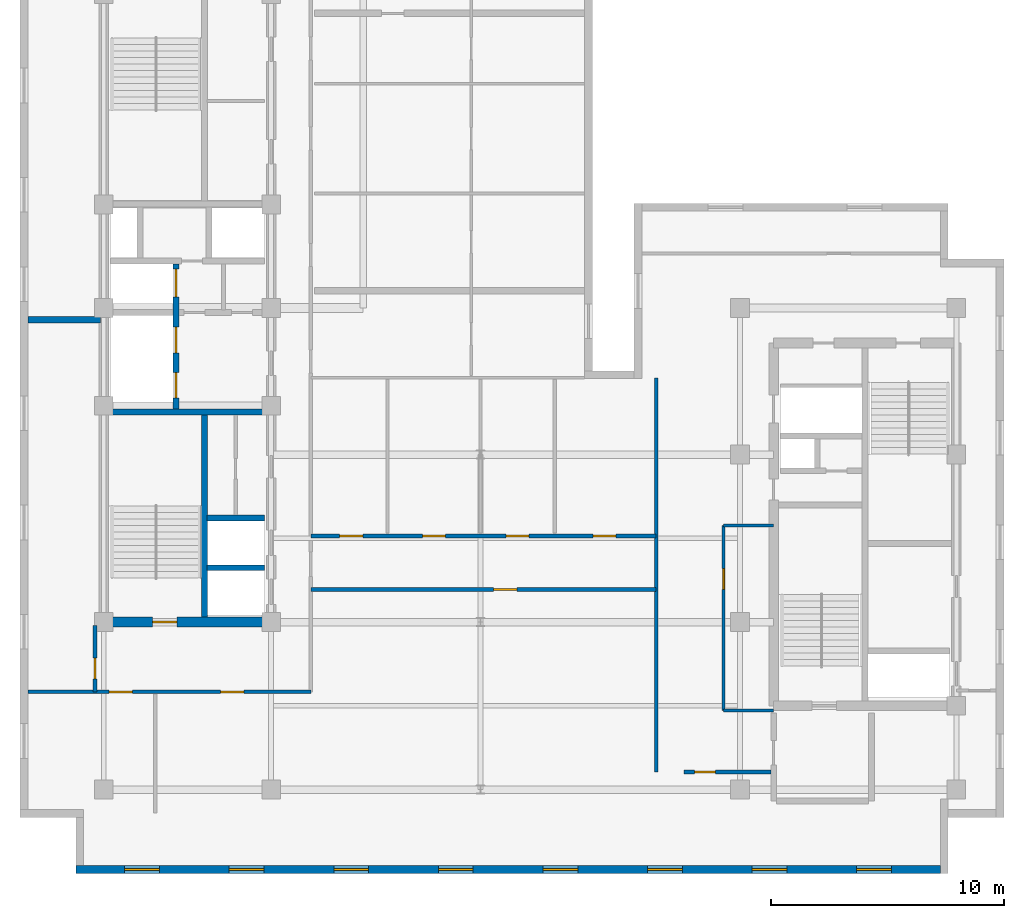
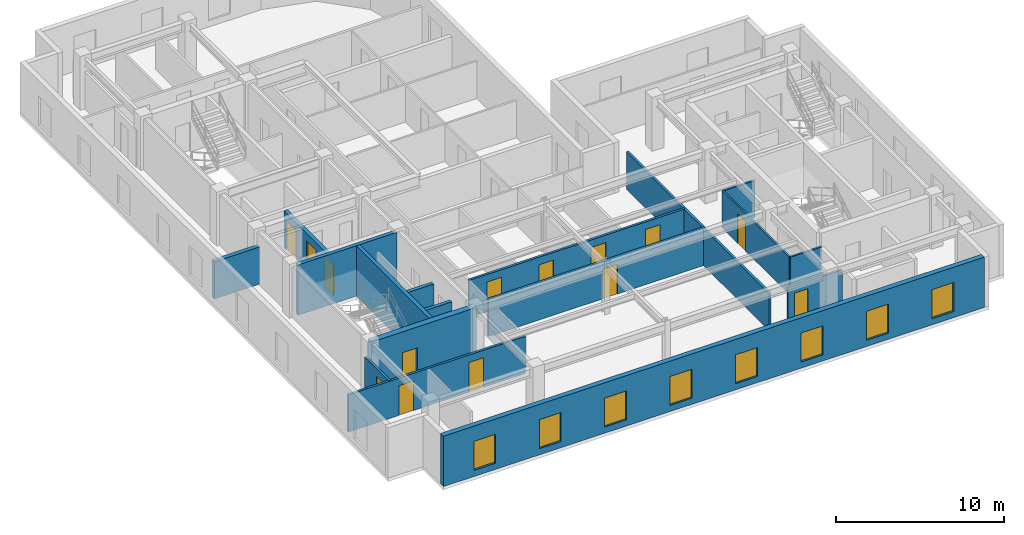
# One storey, part 3 of 10: 17 walls, 14 doors, 8 windows, 22 openings.
"""IFC4 building model written with IfcOpenShell, lengths in metres."""

from ifc_helpers import new_model, entity, si_unit, converted_unit, direction, frame, origin_with_axes, origin_2d_with_axis, place, context, subcontext, project, spatial, polyline, rectangle, outline, extrude, material, layer, layer_set, type_object, element, fill, save


model = new_model("IFC4")

# Units and contexts
model_context = context("Model", 3, precision=1e-05, world=origin_with_axes(), true_north=direction((0.0, 1.0)))
body_context = subcontext(model_context, "Body", "Model", "MODEL_VIEW")
ifc_project = project(units=[si_unit("LENGTHUNIT", "METRE"), si_unit("AREAUNIT", "SQUARE_METRE"), si_unit("VOLUMEUNIT", "CUBIC_METRE"), converted_unit("PLANEANGLEUNIT", "DEGREE", entity("IfcPlaneAngleMeasure", 0.017453292519943295), si_unit("PLANEANGLEUNIT", "RADIAN"), dimensions=[0, 0, 0, 0, 0, 0, 0]), si_unit("MASSUNIT", "GRAM", prefix="KILO"), si_unit("THERMODYNAMICTEMPERATUREUNIT", "KELVIN")], contexts=[model_context])

# Site, building, storey
site_placement = place(None, origin_with_axes())
site = spatial("IfcSite", under=ifc_project, at=site_placement, CompositionType="ELEMENT")
building_placement = place(site_placement, origin_with_axes())
building = spatial("IfcBuilding", under=site, at=building_placement, Name="Varnlund Millrace Tower", CompositionType="ELEMENT")
storey_placement = place(building_placement, frame((0.0, 0.0, 272.4), z_axis=(0.0, 0.0, 1.0), x_axis=(1.0, 0.0, 0.0)))
storey = spatial("IfcBuildingStorey", under=building, at=storey_placement, Name="L67", CompositionType="ELEMENT", Elevation=272.4)

# Wall, opening, door
ifc_material_1 = material(Name="Concrete C60/75", Category="concrete")
ifc_layer_1 = layer(ifc_material_1, 0.42, Name="Concrete C60/75")
ifc_layer_set_1 = layer_set([ifc_layer_1], Name="Concrete C60/75")
wall_type_1 = type_object("IfcWallType", Name="Type-CoreWall-Shear-420-C60", PredefinedType="SHEAR", material=ifc_layer_set_1)
wall_1_placement = place(storey_placement, frame((11.4, 10.8, 0.0), z_axis=(0.0, 0.0, 1.0), x_axis=(1.0, 0.0, 0.0)))
wall_1 = element("IfcWall", 1, at=wall_1_placement, inside=storey, type_object=wall_type_1, Name="Type-CoreWall-Shear-420-C60", PredefinedType="SHEAR", context=body_context, shape_type="SweptSolid", body=[
    extrude(outline(polyline([(0.0, -0.21), (7.2, -0.21), (7.2, 0.21), (0.0, 0.21), (0.0, -0.21)])), origin_with_axes(), (0.0, 0.0, 1.0), 3.66),
])
opening_1_placement = place(wall_1_placement, frame((2.625, 0.0, 0.0), z_axis=(0.0, 0.0, 1.0), x_axis=(1.0, 0.0, 0.0)))
opening_1 = element("IfcOpeningElement", 2, at=opening_1_placement, cuts=wall_1, Name="Opening L67:DR-STA1", PredefinedType="OPENING", context=body_context, shape_type="SweptSolid", body=[
    extrude(rectangle(XDim=1.05, YDim=0.44, at=origin_2d_with_axis()), origin_with_axes(), (0.0, 0.0, 1.0), 2.15),
])
ifc_material_2 = material(Name="Fire-rated hollow steel door", Category="steel")
door_type_1 = type_object("IfcDoorType", Name="Type-FireDoor-Stair-1050X2150", OperationType="NOTDEFINED", PredefinedType="DOOR", material=ifc_material_2)
door_1_placement = place(wall_1_placement, frame((2.625, 0.0, 0.0), z_axis=(0.0, 0.0, 1.0), x_axis=(1.0, 0.0, 0.0)))
door_1 = element("IfcDoor", 3, at=door_1_placement, inside=storey, type_object=door_type_1, Name="Type-FireDoor-Stair-1050X2150", OperationType="SINGLE_SWING_LEFT", OverallHeight=2.15, OverallWidth=1.05, PredefinedType="DOOR", context=body_context, shape_type="SweptSolid", body=[
    extrude(rectangle(XDim=1.05, YDim=0.09, at=origin_2d_with_axis()), origin_with_axes(), (0.0, 0.0, 1.0), 2.15),
])
fill(opening_1, door_1)

# Wall, openings, windows
ifc_material_3 = material(Name="Precast concrete C50/60", Category="concrete")
ifc_layer_2 = layer(ifc_material_3, 0.34, Name="Precast concrete C50/60")
ifc_layer_set_2 = layer_set([ifc_layer_2], Name="Precast concrete C50/60")
wall_type_2 = type_object("IfcWallType", Name="Type-ExtWall-Precast-Upper-340", PredefinedType="SOLIDWALL", material=ifc_layer_set_2)
wall_2_placement = place(storey_placement, frame((47.36, 0.17, 0.0), z_axis=(0.0, 0.0, 1.0), x_axis=(-1.0, 0.0, 0.0)))
wall_2 = element("IfcWall", 4, at=wall_2_placement, inside=storey, type_object=wall_type_2, Name="Type-ExtWall-Precast-Upper-340", PredefinedType="SOLIDWALL", context=body_context, shape_type="SweptSolid", body=[
    extrude(outline(polyline([(0.0, -0.17), (37.16, -0.17), (37.16, 0.17), (0.0, 0.17), (0.0, -0.17)])), origin_with_axes(), (0.0, 0.0, 1.0), 3.66),
])
opening_2_placement = place(wall_2_placement, frame((2.847, 0.0, 0.45), z_axis=(0.0, 0.0, 1.0), x_axis=(1.0, 0.0, 0.0)))
opening_2 = element("IfcOpeningElement", 5, at=opening_2_placement, cuts=wall_2, Name="Opening L67:WN-09", PredefinedType="OPENING", context=body_context, shape_type="SweptSolid", body=[
    extrude(rectangle(XDim=1.5, YDim=0.36, at=origin_2d_with_axis()), origin_with_axes(), (0.0, 0.0, 1.0), 2.1),
])
opening_3_placement = place(wall_2_placement, frame((7.342, 0.0, 0.45), z_axis=(0.0, 0.0, 1.0), x_axis=(1.0, 0.0, 0.0)))
opening_3 = element("IfcOpeningElement", 6, at=opening_3_placement, cuts=wall_2, Name="Opening L67:WN-10", PredefinedType="OPENING", context=body_context, shape_type="SweptSolid", body=[
    extrude(rectangle(XDim=1.5, YDim=0.36, at=origin_2d_with_axis()), origin_with_axes(), (0.0, 0.0, 1.0), 2.1),
])
opening_4_placement = place(wall_2_placement, frame((11.837, 0.0, 0.45), z_axis=(0.0, 0.0, 1.0), x_axis=(1.0, 0.0, 0.0)))
opening_4 = element("IfcOpeningElement", 7, at=opening_4_placement, cuts=wall_2, Name="Opening L67:WN-11", PredefinedType="OPENING", context=body_context, shape_type="SweptSolid", body=[
    extrude(rectangle(XDim=1.5, YDim=0.36, at=origin_2d_with_axis()), origin_with_axes(), (0.0, 0.0, 1.0), 2.1),
])
opening_5_placement = place(wall_2_placement, frame((16.332, 0.0, 0.45), z_axis=(0.0, 0.0, 1.0), x_axis=(1.0, 0.0, 0.0)))
opening_5 = element("IfcOpeningElement", 8, at=opening_5_placement, cuts=wall_2, Name="Opening L67:WN-12", PredefinedType="OPENING", context=body_context, shape_type="SweptSolid", body=[
    extrude(rectangle(XDim=1.5, YDim=0.36, at=origin_2d_with_axis()), origin_with_axes(), (0.0, 0.0, 1.0), 2.1),
])
opening_6_placement = place(wall_2_placement, frame((20.827, 0.0, 0.45), z_axis=(0.0, 0.0, 1.0), x_axis=(1.0, 0.0, 0.0)))
opening_6 = element("IfcOpeningElement", 9, at=opening_6_placement, cuts=wall_2, Name="Opening L67:WN-13", PredefinedType="OPENING", context=body_context, shape_type="SweptSolid", body=[
    extrude(rectangle(XDim=1.5, YDim=0.36, at=origin_2d_with_axis()), origin_with_axes(), (0.0, 0.0, 1.0), 2.1),
])
opening_7_placement = place(wall_2_placement, frame((25.322, 0.0, 0.45), z_axis=(0.0, 0.0, 1.0), x_axis=(1.0, 0.0, 0.0)))
opening_7 = element("IfcOpeningElement", 10, at=opening_7_placement, cuts=wall_2, Name="Opening L67:WN-14", PredefinedType="OPENING", context=body_context, shape_type="SweptSolid", body=[
    extrude(rectangle(XDim=1.5, YDim=0.36, at=origin_2d_with_axis()), origin_with_axes(), (0.0, 0.0, 1.0), 2.1),
])
opening_8_placement = place(wall_2_placement, frame((29.817, 0.0, 0.45), z_axis=(0.0, 0.0, 1.0), x_axis=(1.0, 0.0, 0.0)))
opening_8 = element("IfcOpeningElement", 11, at=opening_8_placement, cuts=wall_2, Name="Opening L67:WN-15", PredefinedType="OPENING", context=body_context, shape_type="SweptSolid", body=[
    extrude(rectangle(XDim=1.5, YDim=0.36, at=origin_2d_with_axis()), origin_with_axes(), (0.0, 0.0, 1.0), 2.1),
])
opening_9_placement = place(wall_2_placement, frame((34.312, 0.0, 0.45), z_axis=(0.0, 0.0, 1.0), x_axis=(1.0, 0.0, 0.0)))
opening_9 = element("IfcOpeningElement", 12, at=opening_9_placement, cuts=wall_2, Name="Opening L67:WN-16", PredefinedType="OPENING", context=body_context, shape_type="SweptSolid", body=[
    extrude(rectangle(XDim=1.5, YDim=0.36, at=origin_2d_with_axis()), origin_with_axes(), (0.0, 0.0, 1.0), 2.1),
])
ifc_material_4 = material(Name="Argon low-e triple glazing in thermally broken bronze frame", Category="glass")
window_type = type_object("IfcWindowType", Name="Type-Window-Punched-1500X2100", PartitioningType="SINGLE_PANEL", PredefinedType="WINDOW", material=ifc_material_4)
window_1_placement = place(wall_2_placement, frame((2.847, 0.0, 0.45), z_axis=(0.0, 0.0, 1.0), x_axis=(1.0, 0.0, 0.0)))
window_1 = element("IfcWindow", 13, at=window_1_placement, inside=storey, type_object=window_type, Name="Type-Window-Punched-1500X2100", OverallHeight=2.1, OverallWidth=1.5, PredefinedType="WINDOW", context=body_context, shape_type="SweptSolid", body=[
    extrude(rectangle(XDim=1.5, YDim=0.09, at=origin_2d_with_axis()), origin_with_axes(), (0.0, 0.0, 1.0), 2.1),
])
fill(opening_2, window_1)
window_2_placement = place(wall_2_placement, frame((7.342, 0.0, 0.45), z_axis=(0.0, 0.0, 1.0), x_axis=(1.0, 0.0, 0.0)))
window_2 = element("IfcWindow", 14, at=window_2_placement, inside=storey, type_object=window_type, Name="Type-Window-Punched-1500X2100", OverallHeight=2.1, OverallWidth=1.5, PredefinedType="WINDOW", context=body_context, shape_type="SweptSolid", body=[
    extrude(rectangle(XDim=1.5, YDim=0.09, at=origin_2d_with_axis()), origin_with_axes(), (0.0, 0.0, 1.0), 2.1),
])
fill(opening_3, window_2)
window_3_placement = place(wall_2_placement, frame((11.837, 0.0, 0.45), z_axis=(0.0, 0.0, 1.0), x_axis=(1.0, 0.0, 0.0)))
window_3 = element("IfcWindow", 15, at=window_3_placement, inside=storey, type_object=window_type, Name="Type-Window-Punched-1500X2100", OverallHeight=2.1, OverallWidth=1.5, PredefinedType="WINDOW", context=body_context, shape_type="SweptSolid", body=[
    extrude(rectangle(XDim=1.5, YDim=0.09, at=origin_2d_with_axis()), origin_with_axes(), (0.0, 0.0, 1.0), 2.1),
])
fill(opening_4, window_3)
window_4_placement = place(wall_2_placement, frame((16.332, 0.0, 0.45), z_axis=(0.0, 0.0, 1.0), x_axis=(1.0, 0.0, 0.0)))
window_4 = element("IfcWindow", 16, at=window_4_placement, inside=storey, type_object=window_type, Name="Type-Window-Punched-1500X2100", OverallHeight=2.1, OverallWidth=1.5, PredefinedType="WINDOW", context=body_context, shape_type="SweptSolid", body=[
    extrude(rectangle(XDim=1.5, YDim=0.09, at=origin_2d_with_axis()), origin_with_axes(), (0.0, 0.0, 1.0), 2.1),
])
fill(opening_5, window_4)
window_5_placement = place(wall_2_placement, frame((20.827, 0.0, 0.45), z_axis=(0.0, 0.0, 1.0), x_axis=(1.0, 0.0, 0.0)))
window_5 = element("IfcWindow", 17, at=window_5_placement, inside=storey, type_object=window_type, Name="Type-Window-Punched-1500X2100", OverallHeight=2.1, OverallWidth=1.5, PredefinedType="WINDOW", context=body_context, shape_type="SweptSolid", body=[
    extrude(rectangle(XDim=1.5, YDim=0.09, at=origin_2d_with_axis()), origin_with_axes(), (0.0, 0.0, 1.0), 2.1),
])
fill(opening_6, window_5)
window_6_placement = place(wall_2_placement, frame((25.322, 0.0, 0.45), z_axis=(0.0, 0.0, 1.0), x_axis=(1.0, 0.0, 0.0)))
window_6 = element("IfcWindow", 18, at=window_6_placement, inside=storey, type_object=window_type, Name="Type-Window-Punched-1500X2100", OverallHeight=2.1, OverallWidth=1.5, PredefinedType="WINDOW", context=body_context, shape_type="SweptSolid", body=[
    extrude(rectangle(XDim=1.5, YDim=0.09, at=origin_2d_with_axis()), origin_with_axes(), (0.0, 0.0, 1.0), 2.1),
])
fill(opening_7, window_6)
window_7_placement = place(wall_2_placement, frame((29.817, 0.0, 0.45), z_axis=(0.0, 0.0, 1.0), x_axis=(1.0, 0.0, 0.0)))
window_7 = element("IfcWindow", 19, at=window_7_placement, inside=storey, type_object=window_type, Name="Type-Window-Punched-1500X2100", OverallHeight=2.1, OverallWidth=1.5, PredefinedType="WINDOW", context=body_context, shape_type="SweptSolid", body=[
    extrude(rectangle(XDim=1.5, YDim=0.09, at=origin_2d_with_axis()), origin_with_axes(), (0.0, 0.0, 1.0), 2.1),
])
fill(opening_8, window_7)
window_8_placement = place(wall_2_placement, frame((34.312, 0.0, 0.45), z_axis=(0.0, 0.0, 1.0), x_axis=(1.0, 0.0, 0.0)))
window_8 = element("IfcWindow", 20, at=window_8_placement, inside=storey, type_object=window_type, Name="Type-Window-Punched-1500X2100", OverallHeight=2.1, OverallWidth=1.5, PredefinedType="WINDOW", context=body_context, shape_type="SweptSolid", body=[
    extrude(rectangle(XDim=1.5, YDim=0.09, at=origin_2d_with_axis()), origin_with_axes(), (0.0, 0.0, 1.0), 2.1),
])
fill(opening_9, window_8)

# Wall
ifc_material_5 = material(Name="Double-stud STC-60 conference acoustic partition", Category="gypsum")
ifc_layer_3 = layer(ifc_material_5, 0.28, Name="Double-stud STC-60 conference acoustic partition")
ifc_layer_set_3 = layer_set([ifc_layer_3], Name="Double-stud STC-60 conference acoustic partition")
wall_type_3 = type_object("IfcWallType", Name="Type-Partition-Acoustic-280", PredefinedType="PARTITIONING", material=ifc_layer_set_3)
wall_3_placement = place(storey_placement, frame((8.135, 23.8, 0.0), z_axis=(0.0, 0.0, 1.0), x_axis=(1.0, 0.0, 0.0)))
element("IfcWall", 21, at=wall_3_placement, inside=storey, type_object=wall_type_3, Name="Type-Partition-Acoustic-280", PredefinedType="PARTITIONING", context=body_context, shape_type="SweptSolid", body=[
    extrude(outline(polyline([(0.0, -0.14), (3.135, -0.14), (3.135, 0.14), (0.0, 0.14), (0.0, -0.14)])), origin_with_axes(), (0.0, 0.0, 1.0), 2.7),
])

# Wall, openings, doors
ifc_material_6 = material(Name="Fire-rated gypsum board on cold-formed steel framing", Category="steel")
ifc_layer_4 = layer(ifc_material_6, 0.16, Name="Fire-rated gypsum board on cold-formed steel framing")
ifc_layer_set_4 = layer_set([ifc_layer_4], Name="Fire-rated gypsum board on cold-formed steel framing")
wall_type_4 = type_object("IfcWallType", Name="Type-Partition-Corridor-160", PredefinedType="PARTITIONING", material=ifc_layer_set_4)
wall_4_placement = place(storey_placement, frame((8.135, 7.8, 0.0), z_axis=(0.0, 0.0, 1.0), x_axis=(1.0, 0.0, 0.0)))
wall_4 = element("IfcWall", 22, at=wall_4_placement, inside=storey, type_object=wall_type_4, Name="Type-Partition-Corridor-160", PredefinedType="PARTITIONING", context=body_context, shape_type="SweptSolid", body=[
    extrude(outline(polyline([(0.0, -0.08), (12.165, -0.08), (12.165, 0.08), (0.0, 0.08), (0.0, -0.08)])), origin_with_axes(), (0.0, 0.0, 1.0), 2.7),
])
opening_10_placement = place(wall_4_placement, frame((3.994, 0.0, 0.0), z_axis=(0.0, 0.0, 1.0), x_axis=(1.0, 0.0, 0.0)))
opening_10 = element("IfcOpeningElement", 23, at=opening_10_placement, cuts=wall_4, Name="Opening L67:DR-WAS-01", PredefinedType="OPENING", context=body_context, shape_type="SweptSolid", body=[
    extrude(rectangle(XDim=1.0, YDim=0.18, at=origin_2d_with_axis()), origin_with_axes(), (0.0, 0.0, 1.0), 2.15),
])
opening_11_placement = place(wall_4_placement, frame((8.794, 0.0, 0.0), z_axis=(0.0, 0.0, 1.0), x_axis=(1.0, 0.0, 0.0)))
opening_11 = element("IfcOpeningElement", 24, at=opening_11_placement, cuts=wall_4, Name="Opening L67:DR-WAS-02", PredefinedType="OPENING", context=body_context, shape_type="SweptSolid", body=[
    extrude(rectangle(XDim=1.0, YDim=0.18, at=origin_2d_with_axis()), origin_with_axes(), (0.0, 0.0, 1.0), 2.15),
])
ifc_material_7 = material(Name="Solid-core white oak and bronze frame door")
door_type_2 = type_object("IfcDoorType", Name="Type-IntDoor-Office-1000X2150", OperationType="NOTDEFINED", PredefinedType="DOOR", material=ifc_material_7)
door_2_placement = place(wall_4_placement, frame((3.994, 0.0, 0.0), z_axis=(0.0, 0.0, 1.0), x_axis=(1.0, 0.0, 0.0)))
door_2 = element("IfcDoor", 25, at=door_2_placement, inside=storey, type_object=door_type_2, Name="Type-IntDoor-Office-1000X2150", OperationType="SINGLE_SWING_LEFT", OverallHeight=2.15, OverallWidth=1.0, PredefinedType="DOOR", context=body_context, shape_type="SweptSolid", body=[
    extrude(rectangle(XDim=1.0, YDim=0.09, at=origin_2d_with_axis()), origin_with_axes(), (0.0, 0.0, 1.0), 2.15),
])
fill(opening_10, door_2)
door_3_placement = place(wall_4_placement, frame((8.794, 0.0, 0.0), z_axis=(0.0, 0.0, 1.0), x_axis=(1.0, 0.0, 0.0)))
door_3 = element("IfcDoor", 26, at=door_3_placement, inside=storey, type_object=door_type_2, Name="Type-IntDoor-Office-1000X2150", OperationType="SINGLE_SWING_RIGHT", OverallHeight=2.15, OverallWidth=1.0, PredefinedType="DOOR", context=body_context, shape_type="SweptSolid", body=[
    extrude(rectangle(XDim=1.0, YDim=0.09, at=origin_2d_with_axis()), origin_with_axes(), (0.0, 0.0, 1.0), 2.15),
])
fill(opening_11, door_3)

# Wall, opening, door
wall_5_placement = place(storey_placement, frame((11.02, 7.8, 0.0), z_axis=(0.0, 0.0, 1.0), x_axis=(0.0, 1.0, 0.0)))
wall_5 = element("IfcWall", 27, at=wall_5_placement, inside=storey, type_object=wall_type_4, Name="Type-Partition-Corridor-160", PredefinedType="PARTITIONING", context=body_context, shape_type="SweptSolid", body=[
    extrude(outline(polyline([(0.0, -0.08), (2.85, -0.08), (2.85, 0.08), (0.0, 0.08), (0.0, -0.08)])), origin_with_axes(), (0.0, 0.0, 1.0), 2.7),
])
opening_12_placement = place(wall_5_placement, frame((1.0, 0.0, 0.0), z_axis=(0.0, 0.0, 1.0), x_axis=(1.0, 0.0, 0.0)))
opening_12 = element("IfcOpeningElement", 28, at=opening_12_placement, cuts=wall_5, Name="Opening L67:DR-WU-S1", PredefinedType="OPENING", context=body_context, shape_type="SweptSolid", body=[
    extrude(rectangle(XDim=0.9, YDim=0.18, at=origin_2d_with_axis()), origin_with_axes(), (0.0, 0.0, 1.0), 2.15),
])
ifc_material_8 = material(Name="Painted steel riser and closet door", Category="steel")
door_type_3 = type_object("IfcDoorType", Name="Type-IntDoor-Closet-900X2150", OperationType="NOTDEFINED", PredefinedType="DOOR", material=ifc_material_8)
door_4_placement = place(wall_5_placement, frame((1.0, 0.0, 0.0), z_axis=(0.0, 0.0, 1.0), x_axis=(1.0, 0.0, 0.0)))
door_4 = element("IfcDoor", 29, at=door_4_placement, inside=storey, type_object=door_type_3, Name="Type-IntDoor-Closet-900X2150", OperationType="SINGLE_SWING_LEFT", OverallHeight=2.15, OverallWidth=0.9, PredefinedType="DOOR", context=body_context, shape_type="SweptSolid", body=[
    extrude(rectangle(XDim=0.9, YDim=0.09, at=origin_2d_with_axis()), origin_with_axes(), (0.0, 0.0, 1.0), 2.15),
])
fill(opening_12, door_4)

wall_6_placement = place(storey_placement, frame((20.3, 12.2, 0.0), z_axis=(0.0, 0.0, 1.0), x_axis=(1.0, 0.0, 0.0)))
wall_6 = element("IfcWall", 30, at=wall_6_placement, inside=storey, type_object=wall_type_4, Name="Type-Partition-Corridor-160", PredefinedType="PARTITIONING", context=body_context, shape_type="SweptSolid", body=[
    extrude(outline(polyline([(0.0, -0.08), (14.85, -0.08), (14.85, 0.08), (0.0, 0.08), (0.0, -0.08)])), origin_with_axes(), (0.0, 0.0, 1.0), 2.7),
])
opening_13_placement = place(wall_6_placement, frame((8.355, 0.0, 0.0), z_axis=(0.0, 0.0, 1.0), x_axis=(1.0, 0.0, 0.0)))
opening_13 = element("IfcOpeningElement", 31, at=opening_13_placement, cuts=wall_6, Name="Opening L67:DR-KNS-01", PredefinedType="OPENING", context=body_context, shape_type="SweptSolid", body=[
    extrude(rectangle(XDim=1.0, YDim=0.18, at=origin_2d_with_axis()), origin_with_axes(), (0.0, 0.0, 1.0), 2.15),
])
door_5_placement = place(wall_6_placement, frame((8.355, 0.0, 0.0), z_axis=(0.0, 0.0, 1.0), x_axis=(1.0, 0.0, 0.0)))
door_5 = element("IfcDoor", 32, at=door_5_placement, inside=storey, type_object=door_type_2, Name="Type-IntDoor-Office-1000X2150", OperationType="SINGLE_SWING_LEFT", OverallHeight=2.15, OverallWidth=1.0, PredefinedType="DOOR", context=body_context, shape_type="SweptSolid", body=[
    extrude(rectangle(XDim=1.0, YDim=0.09, at=origin_2d_with_axis()), origin_with_axes(), (0.0, 0.0, 1.0), 2.15),
])
fill(opening_13, door_5)

# Wall, openings, doors
wall_7_placement = place(storey_placement, frame((20.3, 14.5, 0.0), z_axis=(0.0, 0.0, 1.0), x_axis=(1.0, 0.0, 0.0)))
wall_7 = element("IfcWall", 33, at=wall_7_placement, inside=storey, type_object=wall_type_4, Name="Type-Partition-Corridor-160", PredefinedType="PARTITIONING", context=body_context, shape_type="SweptSolid", body=[
    extrude(outline(polyline([(0.0, -0.08), (14.85, -0.08), (14.85, 0.08), (0.0, 0.08), (0.0, -0.08)])), origin_with_axes(), (0.0, 0.0, 1.0), 2.7),
])
opening_14_placement = place(wall_7_placement, frame((1.739, 0.0, 0.0), z_axis=(0.0, 0.0, 1.0), x_axis=(1.0, 0.0, 0.0)))
opening_14 = element("IfcOpeningElement", 34, at=opening_14_placement, cuts=wall_7, Name="Opening L67:DR-KN-01", PredefinedType="OPENING", context=body_context, shape_type="SweptSolid", body=[
    extrude(rectangle(XDim=1.0, YDim=0.18, at=origin_2d_with_axis()), origin_with_axes(), (0.0, 0.0, 1.0), 2.15),
])
opening_15_placement = place(wall_7_placement, frame((5.299, 0.0, 0.0), z_axis=(0.0, 0.0, 1.0), x_axis=(1.0, 0.0, 0.0)))
opening_15 = element("IfcOpeningElement", 35, at=opening_15_placement, cuts=wall_7, Name="Opening L67:DR-KN-02", PredefinedType="OPENING", context=body_context, shape_type="SweptSolid", body=[
    extrude(rectangle(XDim=1.0, YDim=0.18, at=origin_2d_with_axis()), origin_with_axes(), (0.0, 0.0, 1.0), 2.15),
])
opening_16_placement = place(wall_7_placement, frame((8.889, 0.0, 0.0), z_axis=(0.0, 0.0, 1.0), x_axis=(1.0, 0.0, 0.0)))
opening_16 = element("IfcOpeningElement", 36, at=opening_16_placement, cuts=wall_7, Name="Opening L67:DR-KN-03", PredefinedType="OPENING", context=body_context, shape_type="SweptSolid", body=[
    extrude(rectangle(XDim=1.0, YDim=0.18, at=origin_2d_with_axis()), origin_with_axes(), (0.0, 0.0, 1.0), 2.15),
])
opening_17_placement = place(wall_7_placement, frame((12.624, 0.0, 0.0), z_axis=(0.0, 0.0, 1.0), x_axis=(1.0, 0.0, 0.0)))
opening_17 = element("IfcOpeningElement", 37, at=opening_17_placement, cuts=wall_7, Name="Opening L67:DR-KN-04", PredefinedType="OPENING", context=body_context, shape_type="SweptSolid", body=[
    extrude(rectangle(XDim=1.0, YDim=0.18, at=origin_2d_with_axis()), origin_with_axes(), (0.0, 0.0, 1.0), 2.15),
])
door_6_placement = place(wall_7_placement, frame((1.739, 0.0, 0.0), z_axis=(0.0, 0.0, 1.0), x_axis=(1.0, 0.0, 0.0)))
door_6 = element("IfcDoor", 38, at=door_6_placement, inside=storey, type_object=door_type_2, Name="Type-IntDoor-Office-1000X2150", OperationType="SINGLE_SWING_LEFT", OverallHeight=2.15, OverallWidth=1.0, PredefinedType="DOOR", context=body_context, shape_type="SweptSolid", body=[
    extrude(rectangle(XDim=1.0, YDim=0.09, at=origin_2d_with_axis()), origin_with_axes(), (0.0, 0.0, 1.0), 2.15),
])
fill(opening_14, door_6)
door_7_placement = place(wall_7_placement, frame((5.299, 0.0, 0.0), z_axis=(0.0, 0.0, 1.0), x_axis=(1.0, 0.0, 0.0)))
door_7 = element("IfcDoor", 39, at=door_7_placement, inside=storey, type_object=door_type_2, Name="Type-IntDoor-Office-1000X2150", OperationType="SINGLE_SWING_RIGHT", OverallHeight=2.15, OverallWidth=1.0, PredefinedType="DOOR", context=body_context, shape_type="SweptSolid", body=[
    extrude(rectangle(XDim=1.0, YDim=0.09, at=origin_2d_with_axis()), origin_with_axes(), (0.0, 0.0, 1.0), 2.15),
])
fill(opening_15, door_7)
door_8_placement = place(wall_7_placement, frame((8.889, 0.0, 0.0), z_axis=(0.0, 0.0, 1.0), x_axis=(1.0, 0.0, 0.0)))
door_8 = element("IfcDoor", 40, at=door_8_placement, inside=storey, type_object=door_type_2, Name="Type-IntDoor-Office-1000X2150", OperationType="SINGLE_SWING_LEFT", OverallHeight=2.15, OverallWidth=1.0, PredefinedType="DOOR", context=body_context, shape_type="SweptSolid", body=[
    extrude(rectangle(XDim=1.0, YDim=0.09, at=origin_2d_with_axis()), origin_with_axes(), (0.0, 0.0, 1.0), 2.15),
])
fill(opening_16, door_8)
door_9_placement = place(wall_7_placement, frame((12.624, 0.0, 0.0), z_axis=(0.0, 0.0, 1.0), x_axis=(1.0, 0.0, 0.0)))
door_9 = element("IfcDoor", 41, at=door_9_placement, inside=storey, type_object=door_type_2, Name="Type-IntDoor-Office-1000X2150", OperationType="SINGLE_SWING_RIGHT", OverallHeight=2.15, OverallWidth=1.0, PredefinedType="DOOR", context=body_context, shape_type="SweptSolid", body=[
    extrude(rectangle(XDim=1.0, YDim=0.09, at=origin_2d_with_axis()), origin_with_axes(), (0.0, 0.0, 1.0), 2.15),
])
fill(opening_17, door_9)

# Wall
wall_8_placement = place(storey_placement, frame((35.15, 4.35, 0.0), z_axis=(0.0, 0.0, 1.0), x_axis=(0.0, 1.0, 0.0)))
element("IfcWall", 42, at=wall_8_placement, inside=storey, type_object=wall_type_4, Name="Type-Partition-Corridor-160", PredefinedType="PARTITIONING", context=body_context, shape_type="SweptSolid", body=[
    extrude(outline(polyline([(0.0, -0.08), (16.95, -0.08), (16.95, 0.08), (0.0, 0.08), (0.0, -0.08)])), origin_with_axes(), (0.0, 0.0, 1.0), 2.7),
])

# Wall, opening, door
wall_9_placement = place(storey_placement, frame((36.35, 4.35, 0.0), z_axis=(0.0, 0.0, 1.0), x_axis=(1.0, 0.0, 0.0)))
wall_9 = element("IfcWall", 43, at=wall_9_placement, inside=storey, type_object=wall_type_4, Name="Type-Partition-Corridor-160", PredefinedType="PARTITIONING", context=body_context, shape_type="SweptSolid", body=[
    extrude(outline(polyline([(0.0, -0.08), (3.725, -0.08), (3.725, 0.08), (0.0, 0.08), (0.0, -0.08)])), origin_with_axes(), (0.0, 0.0, 1.0), 2.7),
])
opening_18_placement = place(wall_9_placement, frame((0.9, 0.0, 0.0), z_axis=(0.0, 0.0, 1.0), x_axis=(1.0, 0.0, 0.0)))
opening_18 = element("IfcOpeningElement", 44, at=opening_18_placement, cuts=wall_9, Name="Opening L67:DR-Z4-KNS", PredefinedType="OPENING", context=body_context, shape_type="SweptSolid", body=[
    extrude(rectangle(XDim=0.9, YDim=0.18, at=origin_2d_with_axis()), origin_with_axes(), (0.0, 0.0, 1.0), 2.15),
])
door_10_placement = place(wall_9_placement, frame((0.9, 0.0, 0.0), z_axis=(0.0, 0.0, 1.0), x_axis=(1.0, 0.0, 0.0)))
door_10 = element("IfcDoor", 45, at=door_10_placement, inside=storey, type_object=door_type_3, Name="Type-IntDoor-Closet-900X2150", OperationType="SINGLE_SWING_LEFT", OverallHeight=2.15, OverallWidth=0.9, PredefinedType="DOOR", context=body_context, shape_type="SweptSolid", body=[
    extrude(rectangle(XDim=0.9, YDim=0.09, at=origin_2d_with_axis()), origin_with_axes(), (0.0, 0.0, 1.0), 2.15),
])
fill(opening_18, door_10)

# Walls
ifc_material_9 = material(Name="Gypsum board tenant partition", Category="gypsum")
ifc_layer_5 = layer(ifc_material_9, 0.125, Name="Gypsum board tenant partition")
ifc_layer_set_5 = layer_set([ifc_layer_5], Name="Gypsum board tenant partition")
wall_type_5 = type_object("IfcWallType", Name="Type-Partition-Tenant-125", PredefinedType="PARTITIONING", material=ifc_layer_set_5)
for number, where, z_axis, x_axis, name in (
    (46, (38.05, 7.0, 0.0), (0.0, 0.0, 1.0), (1.0, 0.0, 0.0), "Type-Partition-Tenant-125"),
    (47, (38.05, 14.95, 0.0), (0.0, 0.0, 1.0), (1.0, 0.0, 0.0), "Type-Partition-Tenant-125"),
):
    element("IfcWall", number, at=place(storey_placement, frame(where, z_axis=z_axis, x_axis=x_axis)), inside=storey, type_object=wall_type_5, Name=name, PredefinedType="PARTITIONING", context=body_context, shape_type="SweptSolid", body=[
        extrude(outline(polyline([(0.0, -0.0625), (2.15, -0.0625), (2.15, 0.0625), (0.0, 0.0625), (0.0, -0.0625)])), origin_with_axes(), (0.0, 0.0, 1.0), 2.7),
    ])

# Wall, opening, door
wall_10_placement = place(storey_placement, frame((38.05, 7.0, 0.0), z_axis=(0.0, 0.0, 1.0), x_axis=(0.0, 1.0, 0.0)))
wall_10 = element("IfcWall", 48, at=wall_10_placement, inside=storey, type_object=wall_type_5, Name="Type-Partition-Tenant-125", PredefinedType="PARTITIONING", context=body_context, shape_type="SweptSolid", body=[
    extrude(outline(polyline([(0.0, -0.0625), (7.95, -0.0625), (7.95, 0.0625), (0.0, 0.0625), (0.0, -0.0625)])), origin_with_axes(), (0.0, 0.0, 1.0), 2.7),
])
opening_19_placement = place(wall_10_placement, frame((5.65, 0.0, 0.0), z_axis=(0.0, 0.0, 1.0), x_axis=(1.0, 0.0, 0.0)))
opening_19 = element("IfcOpeningElement", 49, at=opening_19_placement, cuts=wall_10, Name="Opening L67:DR-Z4-KMID", PredefinedType="OPENING", context=body_context, shape_type="SweptSolid", body=[
    extrude(rectangle(XDim=0.9, YDim=0.145, at=origin_2d_with_axis()), origin_with_axes(), (0.0, 0.0, 1.0), 2.15),
])
door_11_placement = place(wall_10_placement, frame((5.65, 0.0, 0.0), z_axis=(0.0, 0.0, 1.0), x_axis=(1.0, 0.0, 0.0)))
door_11 = element("IfcDoor", 50, at=door_11_placement, inside=storey, type_object=door_type_3, Name="Type-IntDoor-Closet-900X2150", OperationType="SINGLE_SWING_LEFT", OverallHeight=2.15, OverallWidth=0.9, PredefinedType="DOOR", context=body_context, shape_type="SweptSolid", body=[
    extrude(rectangle(XDim=0.9, YDim=0.075, at=origin_2d_with_axis()), origin_with_axes(), (0.0, 0.0, 1.0), 2.15),
])
fill(opening_19, door_11)

# Wall, openings, doors
ifc_layer_6 = layer(ifc_material_1, 0.25, Name="Concrete C60/75")
ifc_layer_set_6 = layer_set([ifc_layer_6], Name="Concrete C60/75")
wall_type_6 = type_object("IfcWallType", Name="Type-ShaftWall-Fire-250", PredefinedType="SOLIDWALL", material=ifc_layer_set_6)
wall_11_placement = place(storey_placement, frame((14.5, 19.95, 0.0), z_axis=(0.0, 0.0, 1.0), x_axis=(0.0, 1.0, 0.0)))
wall_11 = element("IfcWall", 51, at=wall_11_placement, inside=storey, type_object=wall_type_6, Name="Type-ShaftWall-Fire-250", PredefinedType="SOLIDWALL", context=body_context, shape_type="SweptSolid", body=[
    extrude(outline(polyline([(0.0, -0.125), (6.25, -0.125), (6.25, 0.125), (0.0, 0.125), (0.0, -0.125)])), origin_with_axes(), (0.0, 0.0, 1.0), 2.7),
])
opening_20_placement = place(wall_11_placement, frame((1.025, 0.0, 0.0), z_axis=(0.0, 0.0, 1.0), x_axis=(1.0, 0.0, 0.0)))
opening_20 = element("IfcOpeningElement", 52, at=opening_20_placement, cuts=wall_11, Name="Opening L67:LD-FSAE1", PredefinedType="OPENING", context=body_context, shape_type="SweptSolid", body=[
    extrude(rectangle(XDim=1.1, YDim=0.27, at=origin_2d_with_axis()), origin_with_axes(), (0.0, 0.0, 1.0), 2.15),
])
opening_21_placement = place(wall_11_placement, frame((2.975, 0.0, 0.0), z_axis=(0.0, 0.0, 1.0), x_axis=(1.0, 0.0, 0.0)))
opening_21 = element("IfcOpeningElement", 53, at=opening_21_placement, cuts=wall_11, Name="Opening L67:LD-FSAE2", PredefinedType="OPENING", context=body_context, shape_type="SweptSolid", body=[
    extrude(rectangle(XDim=1.1, YDim=0.27, at=origin_2d_with_axis()), origin_with_axes(), (0.0, 0.0, 1.0), 2.15),
])
opening_22_placement = place(wall_11_placement, frame((5.425, 0.0, 0.0), z_axis=(0.0, 0.0, 1.0), x_axis=(1.0, 0.0, 0.0)))
opening_22 = element("IfcOpeningElement", 54, at=opening_22_placement, cuts=wall_11, Name="Opening L67:LD-SRV1", PredefinedType="OPENING", context=body_context, shape_type="SweptSolid", body=[
    extrude(rectangle(XDim=1.2, YDim=0.27, at=origin_2d_with_axis()), origin_with_axes(), (0.0, 0.0, 1.0), 2.15),
])
ifc_material_10 = material(Name="Stainless and architectural bronze sliding landing door")
door_type_4 = type_object("IfcDoorType", Name="Type-LiftLandingDoor-1100X2150", OperationType="NOTDEFINED", PredefinedType="DOOR", material=ifc_material_10)
door_12_placement = place(wall_11_placement, frame((1.025, 0.0, 0.0), z_axis=(0.0, 0.0, 1.0), x_axis=(1.0, 0.0, 0.0)))
door_12 = element("IfcDoor", 55, at=door_12_placement, inside=storey, type_object=door_type_4, Name="Type-LiftLandingDoor-1100X2150", OperationType="SLIDING_TO_LEFT", OverallHeight=2.15, OverallWidth=1.1, PredefinedType="DOOR", context=body_context, shape_type="SweptSolid", body=[
    extrude(rectangle(XDim=1.1, YDim=0.09, at=origin_2d_with_axis()), origin_with_axes(), (0.0, 0.0, 1.0), 2.15),
])
fill(opening_20, door_12)
door_13_placement = place(wall_11_placement, frame((2.975, 0.0, 0.0), z_axis=(0.0, 0.0, 1.0), x_axis=(1.0, 0.0, 0.0)))
door_13 = element("IfcDoor", 56, at=door_13_placement, inside=storey, type_object=door_type_4, Name="Type-LiftLandingDoor-1100X2150", OperationType="SLIDING_TO_RIGHT", OverallHeight=2.15, OverallWidth=1.1, PredefinedType="DOOR", context=body_context, shape_type="SweptSolid", body=[
    extrude(rectangle(XDim=1.1, YDim=0.09, at=origin_2d_with_axis()), origin_with_axes(), (0.0, 0.0, 1.0), 2.15),
])
fill(opening_21, door_13)
ifc_material_11 = material(Name="Heavy-duty freight sliding landing door")
door_type_5 = type_object("IfcDoorType", Name="Type-LiftLandingDoor-Service-1200X2150", OperationType="NOTDEFINED", PredefinedType="DOOR", material=ifc_material_11)
door_14_placement = place(wall_11_placement, frame((5.425, 0.0, 0.0), z_axis=(0.0, 0.0, 1.0), x_axis=(1.0, 0.0, 0.0)))
door_14 = element("IfcDoor", 57, at=door_14_placement, inside=storey, type_object=door_type_5, Name="Type-LiftLandingDoor-Service-1200X2150", OperationType="DOUBLE_DOOR_SLIDING", OverallHeight=2.15, OverallWidth=1.2, PredefinedType="DOOR", context=body_context, shape_type="SweptSolid", body=[
    extrude(rectangle(XDim=1.2, YDim=0.09, at=origin_2d_with_axis()), origin_with_axes(), (0.0, 0.0, 1.0), 2.15),
])
fill(opening_22, door_14)

# Walls
for number, where, z_axis, x_axis, name in (
    (58, (15.84, 13.13, 0.0), (0.0, 0.0, 1.0), (1.0, 0.0, 0.0), "Type-ShaftWall-Fire-250"),
    (59, (15.84, 15.27, 0.0), (0.0, 0.0, 1.0), (1.0, 0.0, 0.0), "Type-ShaftWall-Fire-250"),
):
    element("IfcWall", number, at=place(storey_placement, frame(where, z_axis=z_axis, x_axis=x_axis)), inside=storey, type_object=wall_type_6, Name=name, PredefinedType="SOLIDWALL", context=body_context, shape_type="SweptSolid", body=[
        extrude(outline(polyline([(0.0, -0.125), (2.46, -0.125), (2.46, 0.125), (0.0, 0.125), (0.0, -0.125)])), origin_with_axes(), (0.0, 0.0, 1.0), 2.7),
    ])
wall_type_7 = type_object("IfcWallType", Name="Type-StairWall-Shear-250", PredefinedType="SHEAR", material=ifc_layer_set_6)
wall_12_placement = place(storey_placement, frame((15.725, 11.01, 0.0), z_axis=(0.0, 0.0, 1.0), x_axis=(0.0, 1.0, 0.0)))
element("IfcWall", 60, at=wall_12_placement, inside=storey, type_object=wall_type_7, Name="Type-StairWall-Shear-250", PredefinedType="SHEAR", context=body_context, shape_type="SweptSolid", body=[
    extrude(outline(polyline([(0.0, -0.125), (8.69, -0.125), (8.69, 0.125), (0.0, 0.125), (0.0, -0.125)])), origin_with_axes(), (0.0, 0.0, 1.0), 3.66),
])
wall_13_placement = place(storey_placement, frame((11.61, 19.825, 0.0), z_axis=(0.0, 0.0, 1.0), x_axis=(1.0, 0.0, 0.0)))
element("IfcWall", 61, at=wall_13_placement, inside=storey, type_object=wall_type_7, Name="Type-StairWall-Shear-250", PredefinedType="SHEAR", context=body_context, shape_type="SweptSolid", body=[
    extrude(outline(polyline([(0.0, -0.125), (6.78, -0.125), (6.78, 0.125), (0.0, 0.125), (0.0, -0.125)])), origin_with_axes(), (0.0, 0.0, 1.0), 3.66),
])

save(model, "model.ifc")
